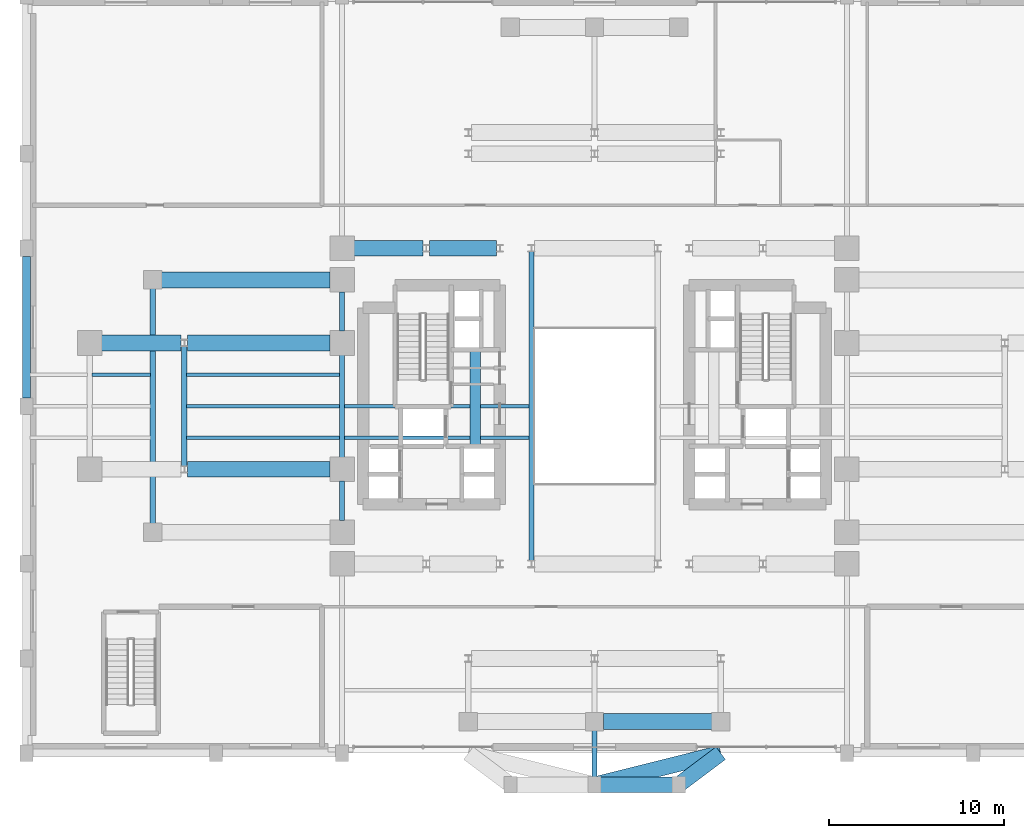
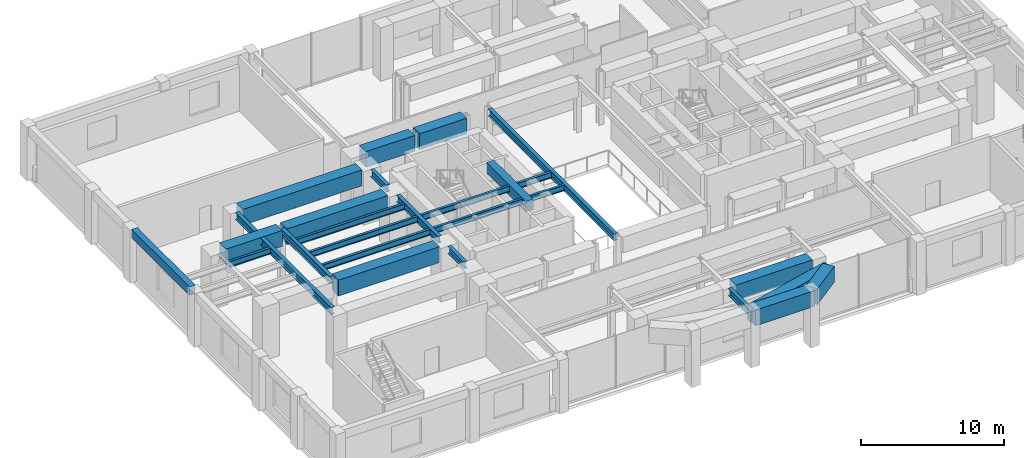
# One storey, part 5 of 14: 25 beams.
"""IFC4 building model written with IfcOpenShell, lengths in metres."""

import ifcopenshell
import ifcopenshell.guid

model = None  # the IFC model being written
_history = None  # IfcOwnerHistory: only IFC2X3 demands one
_inside = {}  # id of a spatial element -> (the spatial element, [elements in it])
_under = {}  # id of a project, library or spatial element -> (it, [spatial elements below it])
_declared = {}  # id of a project -> (the project, [libraries it declares])
_typed = {}  # id of a type object -> (the type object, [elements of that type])
_made_of = {}  # id of a material, layer set ... -> (it, [elements and type objects made of it])


def new_model(schema):
    """Start an empty IFC model of exactly this schema.

    Asked for "IFC4X3", IfcOpenShell would pick the latest addendum, in which some entities
    have other attributes; the version numbers below select the first issue.
    IFC2X3 requires an IfcOwnerHistory on every rooted entity: one is made here for all.
    """
    global model, _history
    if schema == "IFC4X3":
        model = ifcopenshell.file(schema_version=(4, 3, 0, 0))
    else:
        model = ifcopenshell.file(schema=schema)
    _inside.clear()
    _under.clear()
    _declared.clear()
    _typed.clear()
    _made_of.clear()
    _history = None
    if model.schema == "IFC2X3":
        org = make("IfcOrganization", Name="unknown")
        user = make(
            "IfcPersonAndOrganization",
            ThePerson=make("IfcPerson", FamilyName="unknown"),
            TheOrganization=org,
        )
        app = make(
            "IfcApplication",
            ApplicationDeveloper=org,
            Version="unknown",
            ApplicationFullName="unknown",
            ApplicationIdentifier="unknown",
        )
        _history = make(
            "IfcOwnerHistory",
            OwningUser=user,
            OwningApplication=app,
            ChangeAction="ADDED",
            CreationDate=0,
        )
    return model


def make(cls, **values):
    """One entity of the class cls with the attributes given. An attribute that is None is left unset."""
    return model.create_entity(
        cls, **{name: value for name, value in values.items() if value is not None}
    )


def rooted(cls, **values):
    """An entity with a GlobalId (a new one), such as an element, a storey or a relation."""
    return make(cls, GlobalId=ifcopenshell.guid.new(), OwnerHistory=_history, **values)


def si_unit(unit_type, name, prefix=None):
    """IfcSIUnit, for example si_unit("LENGTHUNIT", "METRE", prefix="MILLI")."""
    return make("IfcSIUnit", UnitType=unit_type, Prefix=prefix, Name=name)


def assignment(units):
    """IfcUnitAssignment: the units of a project."""
    return None if units is None else make("IfcUnitAssignment", Units=units)


def point(xyz):
    """IfcCartesianPoint."""
    return None if xyz is None else make("IfcCartesianPoint", Coordinates=xyz)


def direction(xyz):
    """IfcDirection."""
    return None if xyz is None else make("IfcDirection", DirectionRatios=xyz)


def frame(location, z_axis=None, x_axis=None):
    """IfcAxis2Placement3D, a coordinate frame: its origin and axes. An axis left out is left unset."""
    return make(
        "IfcAxis2Placement3D",
        Location=point(location),
        Axis=direction(z_axis),
        RefDirection=direction(x_axis),
    )


def frame_2d(location, x_axis=None):
    """IfcAxis2Placement2D, a coordinate frame in the plane: its origin and x axis."""
    return make(
        "IfcAxis2Placement2D", Location=point(location), RefDirection=direction(x_axis)
    )


def origin():
    """The frame at (0, 0, 0) with its axes left unset."""
    return frame((0.0, 0.0, 0.0))


def origin_2d():
    """The frame at (0, 0) in the plane with its x axis left unset."""
    return frame_2d((0.0, 0.0))


def place(relative_to, where):
    """IfcLocalPlacement: puts the frame where relative to a parent placement (None: the world)."""
    return make(
        "IfcLocalPlacement", PlacementRelTo=relative_to, RelativePlacement=where
    )


def context(
    kind, dimensions, precision=None, world=None, true_north=None, identifier=None
):
    """IfcGeometricRepresentationContext, for example the 3D "Model" context."""
    return make(
        "IfcGeometricRepresentationContext",
        ContextIdentifier=identifier,
        ContextType=kind,
        CoordinateSpaceDimension=dimensions,
        Precision=precision,
        WorldCoordinateSystem=world,
        TrueNorth=true_north,
    )


def subcontext(parent, identifier, kind, view, scale=None):
    """IfcGeometricRepresentationSubContext, for example "Body" below "Model"."""
    return make(
        "IfcGeometricRepresentationSubContext",
        ContextIdentifier=identifier,
        ContextType=kind,
        ParentContext=parent,
        TargetScale=scale,
        TargetView=view,
    )


def project(units=None, contexts=None):
    """IfcProject with its units and contexts."""
    return rooted(
        "IfcProject",
        Name="project",
        RepresentationContexts=contexts,
        UnitsInContext=assignment(units),
    )


def spatial(cls, under=None, at=None, **own):
    """A site, building, storey or space (cls), placed at a placement, below another one or the project."""
    s = rooted(cls, ObjectPlacement=at, **own)
    if under is not None:
        _under.setdefault(under.id(), (under, []))[1].append(s)
    return s


def profile(cls, at=None, kind="AREA", **sizes):
    """A parametric profile (cls). Its sizes go by their IFC names, for example OverallWidth=200.0."""
    return make(cls, ProfileType=kind, Position=at, **sizes)


def rectangle(**sizes):
    """IfcRectangleProfileDef."""
    return profile("IfcRectangleProfileDef", **sizes)


def i_section(**sizes):
    """IfcIShapeProfileDef."""
    return profile("IfcIShapeProfileDef", **sizes)


def extrude(swept, where, along, depth):
    """IfcExtrudedAreaSolid: the profile swept, set in the frame where, extruded along a direction by depth."""
    return make(
        "IfcExtrudedAreaSolid",
        SweptArea=swept,
        Position=where,
        ExtrudedDirection=direction(along),
        Depth=depth,
    )


def shape(context_of_items, identifier, shape_type, items):
    """IfcShapeRepresentation: the items that make up one representation, for example the "Body"."""
    return make(
        "IfcShapeRepresentation",
        ContextOfItems=context_of_items,
        RepresentationIdentifier=identifier,
        RepresentationType=shape_type,
        Items=items,
    )


def source(mapping_origin, context_of_items, identifier, shape_type, items):
    """IfcRepresentationMap: a shape defined once, which mapped items show again and again."""
    return make(
        "IfcRepresentationMap",
        MappingOrigin=mapping_origin,
        MappedRepresentation=shape(context_of_items, identifier, shape_type, items),
    )


def transform(
    local_origin,
    x_axis=None,
    y_axis=None,
    z_axis=None,
    scale=None,
    scale2=None,
    scale3=None,
    uniform=True,
):
    """IfcCartesianTransformationOperator3D, or its non-uniform kind. x_axis, y_axis, z_axis: its Axis1, 2, 3."""
    if uniform:
        return make(
            "IfcCartesianTransformationOperator3D",
            Axis1=direction(x_axis),
            Axis2=direction(y_axis),
            LocalOrigin=point(local_origin),
            Scale=scale,
            Axis3=direction(z_axis),
        )
    return make(
        "IfcCartesianTransformationOperator3DnonUniform",
        Axis1=direction(x_axis),
        Axis2=direction(y_axis),
        LocalOrigin=point(local_origin),
        Scale=scale,
        Axis3=direction(z_axis),
        Scale2=scale2,
        Scale3=scale3,
    )


def mapped(mapping_source, mapping_target):
    """IfcMappedItem: shows the shape of a source again, moved by a transform."""
    return make(
        "IfcMappedItem", MappingSource=mapping_source, MappingTarget=mapping_target
    )


def material(Name=None, Category=None):
    """IfcMaterial."""
    return make("IfcMaterial", Name=Name, Category=Category)


def material_profile(
    of_material, cross_section, Name=None, Category=None, Priority=None
):
    """IfcMaterialProfile: a cross section and its material."""
    return make(
        "IfcMaterialProfile",
        Name=Name,
        Material=of_material,
        Profile=cross_section,
        Priority=Priority,
        Category=Category,
    )


def profile_set(profiles, Name=None, composite=None):
    """IfcMaterialProfileSet."""
    return make(
        "IfcMaterialProfileSet",
        Name=Name,
        MaterialProfiles=profiles,
        CompositeProfile=composite,
    )


def made_of(thing, what):
    """Note that an element or type object is made of a material, layer set ...; save() writes the relation."""
    if what is not None:
        _made_of.setdefault(what.id(), (what, []))[1].append(thing)
    return thing


def type_object(cls, material=None, **own):
    """A type object (cls), such as IfcWallType, which elements share."""
    return made_of(rooted(cls, **own), material)


def element(
    cls,
    number,
    at=None,
    inside=None,
    cuts=None,
    type_object=None,
    material=None,
    context=None,
    identifier="Body",
    shape_type=None,
    held_by="IfcProductDefinitionShape",
    body=None,
    shapes=None,
    **own,
):
    """One element of the class cls, such as IfcWall. Its Tag is "e" and its number.

    at: its placement. inside: the storey or other place that contains it. cuts: it is an
    opening in that element (IfcRelVoidsElement). A single representation is given by context,
    identifier, shape_type and body (its items); several are given by shapes. held_by: the class
    of the entity that holds the representations. save() writes the other relations.
    """
    e = rooted(cls, Tag="e%d" % number, ObjectPlacement=at, **own)
    if body is not None:
        shapes = [shape(context, identifier, shape_type, body)]
    if shapes is not None:
        e.Representation = make(held_by, Representations=shapes)
    if inside is not None:
        _inside.setdefault(inside.id(), (inside, []))[1].append(e)
    if cuts is not None:
        rooted(
            "IfcRelVoidsElement", RelatingBuildingElement=cuts, RelatedOpeningElement=e
        )
    if type_object is not None:
        _typed.setdefault(type_object.id(), (type_object, []))[1].append(e)
    return made_of(e, material)


def aggregate(whole, parts):
    """IfcRelAggregates: a whole, such as a stair, and the parts it consists of."""
    return rooted("IfcRelAggregates", RelatingObject=whole, RelatedObjects=parts)


def save(model, path):
    """Write the relations noted so far, then the file.

    IfcRelAggregates (storeys below a building ...), IfcRelContainedInSpatialStructure (elements
    in a storey), IfcRelDefinesByType, IfcRelAssociatesMaterial and IfcRelDeclares: one each for
    every whole, place, type object, material and project.
    """
    for whole, parts in _under.values():
        aggregate(whole, parts)
    for where, things in _inside.values():
        rooted(
            "IfcRelContainedInSpatialStructure",
            RelatedElements=things,
            RelatingStructure=where,
        )
    for kind, things in _typed.values():
        rooted("IfcRelDefinesByType", RelatedObjects=things, RelatingType=kind)
    for what, things in _made_of.values():
        rooted("IfcRelAssociatesMaterial", RelatedObjects=things, RelatingMaterial=what)
    for by, libraries in _declared.values():
        rooted("IfcRelDeclares", RelatingContext=by, RelatedDefinitions=libraries)
    model.write(path)


model = new_model("IFC4")

# Units and contexts
model_context = context("Model", 3, precision=1e-05, world=origin(), true_north=direction((0.0, 1.0)))
body_context = subcontext(model_context, "Body", "Model", "MODEL_VIEW")
ifc_project = project(units=[si_unit("LENGTHUNIT", "METRE"), si_unit("AREAUNIT", "SQUARE_METRE"), si_unit("VOLUMEUNIT", "CUBIC_METRE"), si_unit("PLANEANGLEUNIT", "RADIAN"), si_unit("MASSUNIT", "GRAM", prefix="KILO")], contexts=[model_context])

# Site, building, storey
site_placement = place(None, origin())
site = spatial("IfcSite", under=ifc_project, at=site_placement, CompositionType="ELEMENT")
building_placement = place(site_placement, origin())
building = spatial("IfcBuilding", under=site, at=building_placement, Name="Keilestroom Media Tower", CompositionType="ELEMENT")
storey_placement = place(building_placement, frame((0.0, 0.0, 15.60009765625)))
storey = spatial("IfcBuildingStorey", under=building, at=storey_placement, Name="L03", CompositionType="ELEMENT", Elevation=15.60009765625)

# Beams
ifc_material_1 = material(Name="Concrete C55/67", Category="concrete")
ifc_material_profile_1 = material_profile(ifc_material_1, rectangle(XDim=0.89990234375, YDim=1.35009765625, at=origin_2d()), Name="RC 900x1350")
ifc_profile_set_1 = profile_set([ifc_material_profile_1], Name="Concrete C55/67")
beam_type_1 = type_object("IfcBeamType", Name="Primary-Structural-Girder-RC-900x1350", PredefinedType="BEAM", material=ifc_profile_set_1)
shared_shape_1 = source(origin(), body_context, "Body", "SweptSolid", [
    extrude(rectangle(XDim=0.89990234375, YDim=1.35009765625, at=origin_2d()), origin(), (0.0, 0.0, 1.0), 3.0),
])
beam_1_placement = place(storey_placement, frame((4.800048828125, -21.60009765625, 4.10498046875), z_axis=(0.799980468008, 0.600026041773, 0.0), x_axis=(-0.600026041773, 0.799980468008, 0.0)))
element("IfcBeam", 1, at=beam_1_placement, inside=storey, type_object=beam_type_1, Name="L03 South-Lobe Podium Tie Girder 4", PredefinedType="BEAM", context=body_context, shape_type="MappedRepresentation", body=[
    mapped(shared_shape_1, transform((0.0, 0.0, 0.0), x_axis=(1.0, 0.0, 0.0), y_axis=(0.0, 1.0, 0.0), z_axis=(0.0, 0.0, 1.0), scale=1.0)),
])
shared_shape_2 = source(origin(), body_context, "Body", "SweptSolid", [
    extrude(rectangle(XDim=0.89990234375, YDim=1.35009765625, at=origin_2d()), origin(), (0.0, 0.0, 1.0), 7.421630859375),
])
beam_2_placement = place(storey_placement, frame((0.0, -21.60009765625, 4.10498046875), z_axis=(0.970140565046, 0.242543365301, 0.0), x_axis=(-0.242543365301, 0.970140565046, 0.0)))
element("IfcBeam", 2, at=beam_2_placement, inside=storey, type_object=beam_type_1, Name="L03 South-Lobe Podium Tie Girder 3", PredefinedType="BEAM", context=body_context, shape_type="MappedRepresentation", body=[
    mapped(shared_shape_2, transform((0.0, 0.0, 0.0), x_axis=(1.0, 0.0, 0.0), y_axis=(0.0, 1.0, 0.0), z_axis=(0.0, 0.0, 1.0), scale=1.0)),
])
shared_shape_3 = source(origin(), body_context, "Body", "SweptSolid", [
    extrude(rectangle(XDim=0.89990234375, YDim=1.35009765625, at=origin_2d()), origin(), (0.0, 0.0, 1.0), 4.800048828125),
])
beam_3_placement = place(storey_placement, frame((0.0, -21.60009765625, 4.10498046875), z_axis=(1.0, 0.0, 0.0), x_axis=(0.0, 1.0, 0.0)))
element("IfcBeam", 3, at=beam_3_placement, inside=storey, type_object=beam_type_1, Name="L03 South-Lobe Transverse Tie Girder E", PredefinedType="BEAM", context=body_context, shape_type="MappedRepresentation", body=[
    mapped(shared_shape_3, transform((0.0, 0.0, 0.0), x_axis=(1.0, 0.0, 0.0), y_axis=(0.0, 1.0, 0.0), z_axis=(0.0, 0.0, 1.0), scale=1.0)),
])
ifc_material_2 = material(Name="Concrete C70/85", Category="concrete")
ifc_material_profile_2 = material_profile(ifc_material_2, rectangle(XDim=0.60009765625, YDim=0.89990234375, at=origin_2d()), Name="RC 600x900")
ifc_profile_set_2 = profile_set([ifc_material_profile_2], Name="Concrete C70/85")
beam_type_2 = type_object("IfcBeamType", Name="Core-Coupling-Lintel-Beam-RC-600x900", PredefinedType="LINTEL", material=ifc_profile_set_2)
shared_shape_4 = source(origin(), body_context, "Body", "SweptSolid", [
    extrude(rectangle(XDim=0.60009765625, YDim=0.89990234375, at=origin_2d()), origin(), (0.0, 0.0, 1.0), 5.52001953125),
])
beam_4_placement = place(storey_placement, frame((-6.800048828125, -2.300048828125, 4.099853515625), z_axis=(0.0, 1.0, 0.0), x_axis=(-1.0, 0.0, 0.0)))
element("IfcBeam", 4, at=beam_4_placement, inside=storey, type_object=beam_type_2, Name="L03 Beam CLB-1 CLB-L03-W", PredefinedType="LINTEL", context=body_context, shape_type="MappedRepresentation", body=[
    mapped(shared_shape_4, transform((0.0, 0.0, 0.0), x_axis=(1.0, 0.0, 0.0), y_axis=(0.0, 1.0, 0.0), z_axis=(0.0, 0.0, 1.0), scale=1.0)),
])
shared_shape_5 = source(origin(), body_context, "Body", "SweptSolid", [
    extrude(rectangle(XDim=0.89990234375, YDim=1.35009765625, at=origin_2d()), origin(), (0.0, 0.0, 1.0), 6.190185546875),
])
beam_5_placement = place(storey_placement, frame((0.5048828125, -18.0, 3.875), z_axis=(1.0, 0.0, 0.0), x_axis=(0.0, 1.0, 0.0)))
element("IfcBeam", 5, at=beam_5_placement, inside=storey, type_object=beam_type_1, Name="L03 Beam TG-2 BM-L03-EW-006", PredefinedType="BEAM", context=body_context, shape_type="MappedRepresentation", body=[
    mapped(shared_shape_5, transform((0.0, 0.0, 0.0), x_axis=(1.0, 0.0, 0.0), y_axis=(0.0, 1.0, 0.0), z_axis=(0.0, 0.0, 1.0), scale=1.0)),
])
shared_shape_6 = source(origin(), body_context, "Body", "SweptSolid", [
    extrude(rectangle(XDim=0.89990234375, YDim=1.35009765625, at=origin_2d()), origin(), (0.0, 0.0, 1.0), 3.93701171875),
])
beam_6_placement = place(storey_placement, frame((-13.719970703125, 9.0, 3.875), z_axis=(1.0, 0.0, 0.0), x_axis=(0.0, 1.0, 0.0)))
element("IfcBeam", 6, at=beam_6_placement, inside=storey, type_object=beam_type_1, Name="L03 Beam TG-2 BM-L03-EW-028", PredefinedType="BEAM", context=body_context, shape_type="MappedRepresentation", body=[
    mapped(shared_shape_6, transform((0.0, 0.0, 0.0), x_axis=(1.0, 0.0, 0.0), y_axis=(0.0, 1.0, 0.0), z_axis=(0.0, 0.0, 1.0), scale=1.0)),
])
shared_shape_7 = source(origin(), body_context, "Body", "SweptSolid", [
    extrude(rectangle(XDim=0.89990234375, YDim=1.35009765625, at=origin_2d()), origin(), (0.0, 0.0, 1.0), 3.833984375),
])
beam_7_placement = place(storey_placement, frame((-9.4169921875, 9.0, 3.875), z_axis=(1.0, 0.0, 0.0), x_axis=(0.0, 1.0, 0.0)))
element("IfcBeam", 7, at=beam_7_placement, inside=storey, type_object=beam_type_1, Name="L03 Beam TG-2 BM-L03-EW-029", PredefinedType="BEAM", context=body_context, shape_type="MappedRepresentation", body=[
    mapped(shared_shape_7, transform((0.0, 0.0, 0.0), x_axis=(1.0, 0.0, 0.0), y_axis=(0.0, 1.0, 0.0), z_axis=(0.0, 0.0, 1.0), scale=1.0)),
])
shared_shape_8 = source(origin(), body_context, "Body", "SweptSolid", [
    extrude(rectangle(XDim=0.89990234375, YDim=1.35009765625, at=origin_2d()), origin(), (0.0, 0.0, 1.0), 9.614990234375),
])
beam_8_placement = place(storey_placement, frame((-24.695068359375, 7.199951171875, 3.875), z_axis=(1.0, 0.0, 0.0), x_axis=(0.0, 1.0, 0.0)))
element("IfcBeam", 8, at=beam_8_placement, inside=storey, type_object=beam_type_1, Name="L03 Beam TG-2 BM-L03-EW-026", PredefinedType="BEAM", context=body_context, shape_type="MappedRepresentation", body=[
    mapped(shared_shape_8, transform((0.0, 0.0, 0.0), x_axis=(1.0, 0.0, 0.0), y_axis=(0.0, 1.0, 0.0), z_axis=(0.0, 0.0, 1.0), scale=1.0)),
])
shared_shape_9 = source(origin(), body_context, "Body", "SweptSolid", [
    extrude(rectangle(XDim=0.89990234375, YDim=1.35009765625, at=origin_2d()), origin(), (0.0, 0.0, 1.0), 4.537109375),
])
beam_9_placement = place(storey_placement, frame((-28.1201171875, 3.60009765625, 3.875), z_axis=(1.0, 0.0, 0.0), x_axis=(0.0, 1.0, 0.0)))
element("IfcBeam", 9, at=beam_9_placement, inside=storey, type_object=beam_type_1, Name="L03 Beam TG-2 BM-L03-EW-022", PredefinedType="BEAM", context=body_context, shape_type="MappedRepresentation", body=[
    mapped(shared_shape_9, transform((0.0, 0.0, 0.0), x_axis=(1.0, 0.0, 0.0), y_axis=(0.0, 1.0, 0.0), z_axis=(0.0, 0.0, 1.0), scale=1.0)),
])
shared_shape_10 = source(origin(), body_context, "Body", "SweptSolid", [
    extrude(rectangle(XDim=0.89990234375, YDim=1.35009765625, at=origin_2d()), origin(), (0.0, 0.0, 1.0), 8.136962890625),
])
for number, where, z_axis, x_axis, name in (
    (10, (-23.217041015625, -3.60009765625, 3.875), (1.0, 0.0, 0.0), (0.0, 1.0, 0.0), "L03 Beam TG-2 BM-L03-EW-019"),
    (11, (-23.217041015625, 3.60009765625, 3.875), (1.0, 0.0, 0.0), (0.0, 1.0, 0.0), "L03 Beam TG-2 BM-L03-EW-023"),
):
    element("IfcBeam", number, at=place(storey_placement, frame(where, z_axis=z_axis, x_axis=x_axis)), inside=storey, type_object=beam_type_1, Name=name, PredefinedType="BEAM", context=body_context, shape_type="MappedRepresentation", body=[
        mapped(shared_shape_10, transform((0.0, 0.0, 0.0), x_axis=(1.0, 0.0, 0.0), y_axis=(0.0, 1.0, 0.0), z_axis=(0.0, 0.0, 1.0), scale=1.0)),
    ])
ifc_material_3 = material(Name="Precast concrete C40/50", Category="concrete")
ifc_material_profile_3 = material_profile(ifc_material_3, rectangle(XDim=0.449951171875, YDim=0.75, at=origin_2d()), Name="PC 450x750")
ifc_profile_set_3 = profile_set([ifc_material_profile_3], Name="Precast concrete C40/50")
beam_type_3 = type_object("IfcBeamType", Name="Perimeter-Spandrel-Beam-PC-450x750", PredefinedType="SPANDREL", material=ifc_profile_set_3)
shared_shape_11 = source(origin(), body_context, "Body", "SweptSolid", [
    extrude(rectangle(XDim=0.449951171875, YDim=0.75, at=origin_2d()), origin(), (0.0, 0.0, 1.0), 8.08984375),
])
beam_10_placement = place(storey_placement, frame((-32.39990234375, 0.455078125, 4.1748046875), z_axis=(0.0, 1.0, 0.0), x_axis=(-1.0, 0.0, 0.0)))
element("IfcBeam", 12, at=beam_10_placement, inside=storey, type_object=beam_type_3, Name="L03 Beam SPB-1 BM-L03-NS-048", PredefinedType="SPANDREL", context=body_context, shape_type="MappedRepresentation", body=[
    mapped(shared_shape_11, transform((0.0, 0.0, 0.0), x_axis=(1.0, 0.0, 0.0), y_axis=(0.0, 1.0, 0.0), z_axis=(0.0, 0.0, 1.0), scale=1.0)),
])
ifc_material_4 = material(Name="Steel S355", Category="steel")
ifc_material_profile_4 = material_profile(ifc_material_4, i_section(OverallWidth=0.300048828125, OverallDepth=0.60009765625, WebThickness=0.013427734375, FlangeThickness=0.030029296875, at=origin_2d()), Name="HEB 600")
ifc_profile_set_4 = profile_set([ifc_material_profile_4], Name="Steel S355")
beam_type_4 = type_object("IfcBeamType", Name="Primary-Structural-Girder-HEB-600", PredefinedType="BEAM", material=ifc_profile_set_4)
shared_shape_12 = source(origin(), body_context, "Body", "SweptSolid", [
    extrude(i_section(OverallWidth=0.300048828125, OverallDepth=0.60009765625, WebThickness=0.013427734375, FlangeThickness=0.030029296875, at=origin_2d()), origin(), (0.0, 0.0, 1.0), 5.83984375),
])
beam_11_placement = place(storey_placement, frame((-14.39990234375, -2.919921875, 4.25), z_axis=(0.0, 1.0, 0.0), x_axis=(-1.0, 0.0, 0.0)))
element("IfcBeam", 13, at=beam_11_placement, inside=storey, type_object=beam_type_4, Name="L03 Beam BG-4 BM-L03-NS-057", PredefinedType="BEAM", context=body_context, shape_type="MappedRepresentation", body=[
    mapped(shared_shape_12, transform((0.0, 0.0, 0.0), x_axis=(1.0, 0.0, 0.0), y_axis=(0.0, 1.0, 0.0), z_axis=(0.0, 0.0, 1.0), scale=1.0)),
])
shared_shape_13 = source(origin(), body_context, "Body", "SweptSolid", [
    extrude(i_section(OverallWidth=0.300048828125, OverallDepth=0.60009765625, WebThickness=0.013427734375, FlangeThickness=0.030029296875, at=origin_2d()), origin(), (0.0, 0.0, 1.0), 13.39013671875),
])
beam_12_placement = place(storey_placement, frame((-25.199951171875, -6.695068359375, 4.25), z_axis=(0.0, 1.0, 0.0), x_axis=(-1.0, 0.0, 0.0)))
element("IfcBeam", 14, at=beam_12_placement, inside=storey, type_object=beam_type_4, Name="L03 Beam BG-4 BM-L03-NS-052", PredefinedType="BEAM", context=body_context, shape_type="MappedRepresentation", body=[
    mapped(shared_shape_13, transform((0.0, 0.0, 0.0), x_axis=(1.0, 0.0, 0.0), y_axis=(0.0, 1.0, 0.0), z_axis=(0.0, 0.0, 1.0), scale=1.0)),
])
shared_shape_14 = source(origin(), body_context, "Body", "SweptSolid", [
    extrude(i_section(OverallWidth=0.300048828125, OverallDepth=0.60009765625, WebThickness=0.013427734375, FlangeThickness=0.030029296875, at=origin_2d()), origin(), (0.0, 0.0, 1.0), 6.82421875),
])
beam_13_placement = place(storey_placement, frame((-23.39990234375, -3.412109375, 4.25), z_axis=(0.0, 1.0, 0.0), x_axis=(-1.0, 0.0, 0.0)))
element("IfcBeam", 15, at=beam_13_placement, inside=storey, type_object=beam_type_4, Name="L03 Beam BG-4 BM-L03-NS-053", PredefinedType="BEAM", context=body_context, shape_type="MappedRepresentation", body=[
    mapped(shared_shape_14, transform((0.0, 0.0, 0.0), x_axis=(1.0, 0.0, 0.0), y_axis=(0.0, 1.0, 0.0), z_axis=(0.0, 0.0, 1.0), scale=1.0)),
])
shared_shape_15 = source(origin(), body_context, "Body", "SweptSolid", [
    extrude(i_section(OverallWidth=0.300048828125, OverallDepth=0.60009765625, WebThickness=0.013427734375, FlangeThickness=0.030029296875, at=origin_2d()), origin(), (0.0, 0.0, 1.0), 2.239990234375),
])
for number, where, z_axis, x_axis, name in (
    (16, (-14.39990234375, -6.52001953125, 4.25), (0.0, 1.0, 0.0), (-1.0, 0.0, 0.0), "L03 Beam BG-4 BM-L03-NS-056"),
    (17, (-14.39990234375, 4.280029296875, 4.25), (0.0, 1.0, 0.0), (-1.0, 0.0, 0.0), "L03 Beam BG-4 BM-L03-NS-058"),
):
    element("IfcBeam", number, at=place(storey_placement, frame(where, z_axis=z_axis, x_axis=x_axis)), inside=storey, type_object=beam_type_4, Name=name, PredefinedType="BEAM", context=body_context, shape_type="MappedRepresentation", body=[
        mapped(shared_shape_15, transform((0.0, 0.0, 0.0), x_axis=(1.0, 0.0, 0.0), y_axis=(0.0, 1.0, 0.0), z_axis=(0.0, 0.0, 1.0), scale=1.0)),
    ])
shared_shape_16 = source(origin(), body_context, "Body", "SweptSolid", [
    extrude(i_section(OverallWidth=0.300048828125, OverallDepth=0.60009765625, WebThickness=0.013427734375, FlangeThickness=0.030029296875, at=origin_2d()), origin(), (0.0, 0.0, 1.0), 17.6240234375),
])
beam_14_placement = place(storey_placement, frame((-3.60009765625, -8.81201171875, 4.25), z_axis=(0.0, 1.0, 0.0), x_axis=(-1.0, 0.0, 0.0)))
element("IfcBeam", 18, at=beam_14_placement, inside=storey, type_object=beam_type_4, Name="L03 Beam BG-4 BM-L03-NS-065", PredefinedType="BEAM", context=body_context, shape_type="MappedRepresentation", body=[
    mapped(shared_shape_16, transform((0.0, 0.0, 0.0), x_axis=(1.0, 0.0, 0.0), y_axis=(0.0, 1.0, 0.0), z_axis=(0.0, 0.0, 1.0), scale=1.0)),
])
shared_shape_17 = source(origin(), body_context, "Body", "SweptSolid", [
    extrude(i_section(OverallWidth=0.300048828125, OverallDepth=0.60009765625, WebThickness=0.013427734375, FlangeThickness=0.030029296875, at=origin_2d()), origin(), (0.0, 0.0, 1.0), 2.64013671875),
])
beam_15_placement = place(storey_placement, frame((0.0, -21.14501953125, 4.25), z_axis=(0.0, 1.0, 0.0), x_axis=(-1.0, 0.0, 0.0)))
element("IfcBeam", 19, at=beam_15_placement, inside=storey, type_object=beam_type_4, Name="L03 Beam BG-4 BM-L03-NS-066", PredefinedType="BEAM", context=body_context, shape_type="MappedRepresentation", body=[
    mapped(shared_shape_17, transform((0.0, 0.0, 0.0), x_axis=(1.0, 0.0, 0.0), y_axis=(0.0, 1.0, 0.0), z_axis=(0.0, 0.0, 1.0), scale=1.0)),
])
ifc_material_profile_5 = material_profile(ifc_material_4, i_section(OverallWidth=0.199951171875, OverallDepth=0.5, WebThickness=0.01025390625, FlangeThickness=0.01611328125, at=origin_2d()), Name="IPE 500")
ifc_profile_set_5 = profile_set([ifc_material_profile_5], Name="Steel S355")
beam_type_5 = type_object("IfcBeamType", Name="Secondary-Floor-Joist-IPE-500", PredefinedType="JOIST", material=ifc_profile_set_5)
shared_shape_18 = source(origin(), body_context, "Body", "SweptSolid", [
    extrude(i_section(OverallWidth=0.199951171875, OverallDepth=0.5, WebThickness=0.01025390625, FlangeThickness=0.01611328125, at=origin_2d()), origin(), (0.0, 0.0, 1.0), 3.33984375),
])
beam_16_placement = place(storey_placement, frame((-28.669921875, 1.800048828125, 4.2998046875), z_axis=(1.0, 0.0, 0.0), x_axis=(0.0, 1.0, 0.0)))
element("IfcBeam", 20, at=beam_16_placement, inside=storey, type_object=beam_type_5, Name="L03 Beam BJ-2 JST-L03-114", PredefinedType="JOIST", context=body_context, shape_type="MappedRepresentation", body=[
    mapped(shared_shape_18, transform((0.0, 0.0, 0.0), x_axis=(1.0, 0.0, 0.0), y_axis=(0.0, 1.0, 0.0), z_axis=(0.0, 0.0, 1.0), scale=1.0)),
])
shared_shape_19 = source(origin(), body_context, "Body", "SweptSolid", [
    extrude(i_section(OverallWidth=0.199951171875, OverallDepth=0.5, WebThickness=0.01025390625, FlangeThickness=0.01611328125, at=origin_2d()), origin(), (0.0, 0.0, 1.0), 8.739990234375),
])
for number, where, z_axis, x_axis, name in (
    (21, (-23.27001953125, -1.800048828125, 4.2998046875), (1.0, 0.0, 0.0), (0.0, 1.0, 0.0), "L03 Beam BJ-2 JST-L03-097"),
    (22, (-23.27001953125, 0.0, 4.2998046875), (1.0, 0.0, 0.0), (0.0, 1.0, 0.0), "L03 Beam BJ-2 JST-L03-106"),
    (23, (-23.27001953125, 1.800048828125, 4.2998046875), (1.0, 0.0, 0.0), (0.0, 1.0, 0.0), "L03 Beam BJ-2 JST-L03-115"),
):
    element("IfcBeam", number, at=place(storey_placement, frame(where, z_axis=z_axis, x_axis=x_axis)), inside=storey, type_object=beam_type_5, Name=name, PredefinedType="JOIST", context=body_context, shape_type="MappedRepresentation", body=[
        mapped(shared_shape_19, transform((0.0, 0.0, 0.0), x_axis=(1.0, 0.0, 0.0), y_axis=(0.0, 1.0, 0.0), z_axis=(0.0, 0.0, 1.0), scale=1.0)),
    ])
shared_shape_20 = source(origin(), body_context, "Body", "SweptSolid", [
    extrude(i_section(OverallWidth=0.199951171875, OverallDepth=0.5, WebThickness=0.01025390625, FlangeThickness=0.01611328125, at=origin_2d()), origin(), (0.0, 0.0, 1.0), 10.5400390625),
])
for number, where, z_axis, x_axis, name in (
    (24, (-14.27001953125, -1.800048828125, 4.2998046875), (1.0, 0.0, 0.0), (0.0, 1.0, 0.0), "L03 Beam BJ-2 JST-L03-098"),
    (25, (-14.27001953125, 0.0, 4.2998046875), (1.0, 0.0, 0.0), (0.0, 1.0, 0.0), "L03 Beam BJ-2 JST-L03-107"),
):
    element("IfcBeam", number, at=place(storey_placement, frame(where, z_axis=z_axis, x_axis=x_axis)), inside=storey, type_object=beam_type_5, Name=name, PredefinedType="JOIST", context=body_context, shape_type="MappedRepresentation", body=[
        mapped(shared_shape_20, transform((0.0, 0.0, 0.0), x_axis=(1.0, 0.0, 0.0), y_axis=(0.0, 1.0, 0.0), z_axis=(0.0, 0.0, 1.0), scale=1.0)),
    ])

save(model, "model.ifc")
